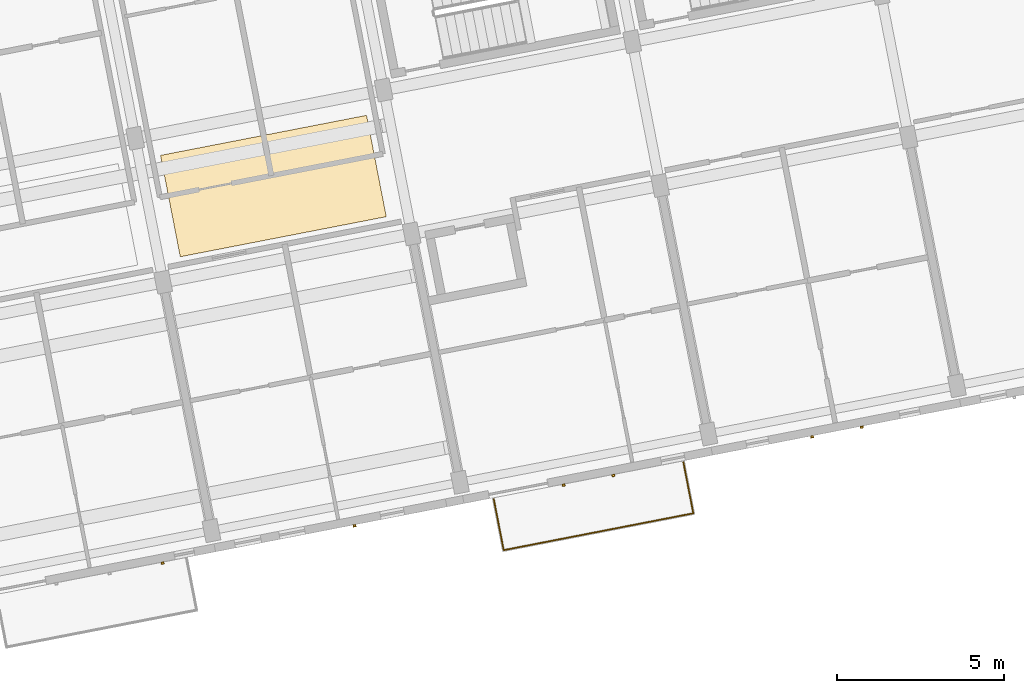
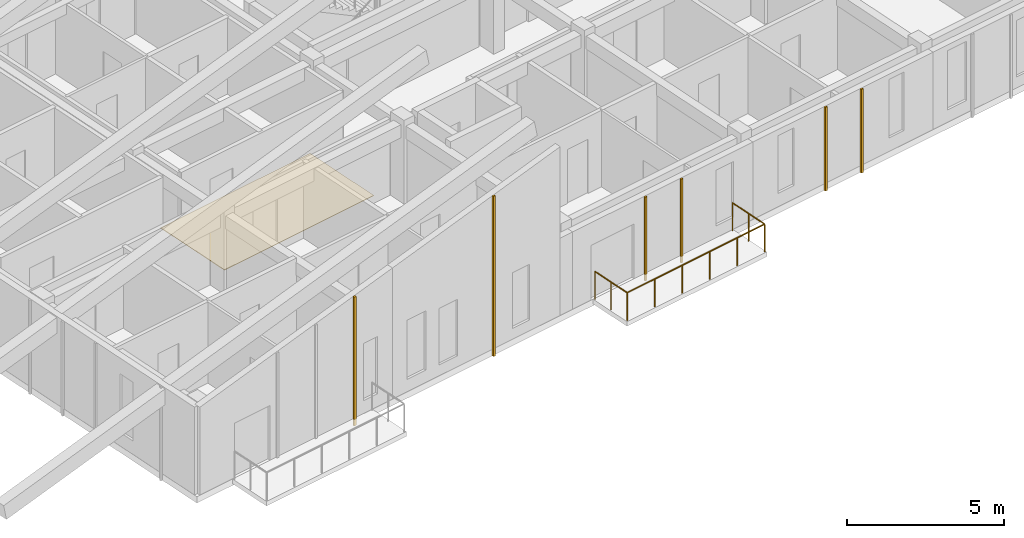
# One storey, part 57 of 64: 7 coverings, 1 railing.
"""IFC4 building model written with IfcOpenShell, lengths in metres."""

from ifc_helpers import new_model, si_unit, direction, frame, origin, origin_2d, place, context, subcontext, project, spatial, polyline, rectangle, circle, outline, extrude, material, layer, layer_set, type_object, element, save


model = new_model("IFC4")

# Units and contexts
model_context = context("Model", 3, precision=1e-05, world=origin(), true_north=direction((0.0, 1.0)))
body_context = subcontext(model_context, "Body", "Model", "MODEL_VIEW")
ifc_project = project(units=[si_unit("LENGTHUNIT", "METRE"), si_unit("AREAUNIT", "SQUARE_METRE"), si_unit("VOLUMEUNIT", "CUBIC_METRE"), si_unit("PLANEANGLEUNIT", "RADIAN"), si_unit("MASSUNIT", "GRAM", prefix="KILO")], contexts=[model_context])

# Site, building, storey
site_placement = place(None, origin())
site = spatial("IfcSite", under=ifc_project, at=site_placement, CompositionType="ELEMENT")
building_placement = place(site_placement, origin())
building = spatial("IfcBuilding", under=site, at=building_placement, Name="Kestramere Prow Commons", CompositionType="ELEMENT")
storey_placement = place(building_placement, frame((0.0, 0.0, 24.64990234375)))
storey = spatial("IfcBuildingStorey", under=building, at=storey_placement, Name="L07", CompositionType="ELEMENT", Elevation=24.64990234375)

# Coverings
ifc_material_1 = material(Name="Weathered Zinc-Titanium Standing-Seam Cladding")
ifc_layer_1 = layer(ifc_material_1, 0.074951171875)
ifc_layer_set_1 = layer_set([ifc_layer_1], Name="Weathered Zinc-Titanium Standing-Seam Cladding")
covering_type_1 = type_object("IfcCoveringType", Name="COV-CLAD-SEAM", PredefinedType="CLADDING", material=ifc_layer_set_1)
covering_1_placement = place(storey_placement, frame((131.85498046875, 35.92529296875, -0.25), z_axis=(0.0, 0.0, 1.0), x_axis=(-0.981627183448, -0.190808995377, 0.0)))
element("IfcCovering", 1, at=covering_1_placement, inside=storey, type_object=covering_type_1, Name="EW-D-L07-S-1 Standing-Seam Rib 1", PredefinedType="CLADDING", context=body_context, shape_type="SweptSolid", body=[
    extrude(rectangle(XDim=0.0849609375, YDim=0.06494140625, at=origin_2d()), origin(), (0.0, 0.0, 1.0), 5.00439453125),
])
covering_2_placement = place(storey_placement, frame((137.616943359375, 37.045166015625, -0.249755859375), z_axis=(0.0, 0.0, 1.0), x_axis=(-0.981627183448, -0.190808995377, 0.0)))
element("IfcCovering", 2, at=covering_2_placement, inside=storey, type_object=covering_type_1, Name="EW-D-L07-S-2 Standing-Seam Rib 2", PredefinedType="CLADDING", context=body_context, shape_type="SweptSolid", body=[
    extrude(rectangle(XDim=0.0849609375, YDim=0.06494140625, at=origin_2d()), origin(), (0.0, 0.0, 1.0), 6.21923828125),
])
for number, where, z_axis, x_axis, name in (
    (3, (145.386474609375, 38.555419921875, -0.25), (0.0, 0.0, 1.0), (-0.981627183448, -0.190808995377, 0.0), "EW-D-L07-S-3 Standing-Seam Rib 2"),
    (4, (143.89453125, 38.265380859375, -0.25), (0.0, 0.0, 1.0), (-0.981627183448, -0.190808995377, 0.0), "EW-D-L07-S-3 Standing-Seam Rib 3"),
    (5, (152.846923828125, 40.005615234375, -0.25), (0.0, 0.0, 1.0), (-0.981627183448, -0.190808995377, 0.0), "EW-D-L07-S-4 Standing-Seam Rib 2"),
    (6, (151.35498046875, 39.715576171875, -0.25), (0.0, 0.0, 1.0), (-0.981627183448, -0.190808995377, 0.0), "EW-D-L07-S-4 Standing-Seam Rib 3"),
):
    element("IfcCovering", number, at=place(storey_placement, frame(where, z_axis=z_axis, x_axis=x_axis)), inside=storey, type_object=covering_type_1, Name=name, PredefinedType="CLADDING", context=body_context, shape_type="SweptSolid", body=[
        extrude(rectangle(XDim=0.0849609375, YDim=0.06494140625, at=origin_2d()), origin(), (0.0, 0.0, 1.0), 3.25),
    ])
ifc_material_2 = material(Name="Honed Cementitious Terrazzo Tile")
ifc_layer_2 = layer(ifc_material_2, 0.02001953125)
ifc_layer_set_2 = layer_set([ifc_layer_2], Name="Honed Cementitious Terrazzo Tile")
covering_type_2 = type_object("IfcCoveringType", Name="COV-FLOOR-TERRAZZO", PredefinedType="FLOORING", material=ifc_layer_set_2)
covering_3_placement = place(storey_placement, origin())
element("IfcCovering", 7, at=covering_3_placement, inside=storey, type_object=covering_type_2, Name="Block D L07 Corridor Terrazzo Flooring 3", PredefinedType="FLOORING", context=body_context, shape_type="SweptSolid", body=[
    extrude(outline(polyline([(132.384521484375, 45.122802734375), (138.56884765625, 46.324951171875), (137.977294921875, 49.367919921875), (131.793212890625, 48.165771484375), (132.384521484375, 45.122802734375)])), origin(), (0.0, 0.0, 1.0), 0.02001953125),
])

# Railing
ifc_material_3 = material(Name="Powder-Coated Aluminium 6063-T6", Category="aluminium")
railing_type = type_object("IfcRailingType", Name="GRD-BALC-1100", PredefinedType="BALUSTRADE", material=ifc_material_3)
railing_placement = place(storey_placement, frame((141.796142578125, 37.844970703125, 0.0)))
element("IfcRailing", 8, at=railing_placement, inside=storey, type_object=railing_type, Name="Block D L07 Balcony Guardrail 4", PredefinedType="BALUSTRADE", context=body_context, shape_type="SweptSolid", body=[
    extrude(circle(Radius=0.02392578125, at=origin_2d()), frame((0.0, 0.0, 1.076171875), z_axis=(0.190907354118, -0.981608059331, 0.0), x_axis=(0.981608059331, 0.190907354118, 0.0)), (0.0, 0.0, 1.0), 1.560302734375),
    extrude(circle(Radius=0.02392578125, at=origin_2d()), frame((0.2978515625, -1.531494140625, 1.076171875), z_axis=(0.981626779841, 0.190811071742, 0.0), x_axis=(-0.190811071742, 0.981626779841, 0.0)), (0.0, 0.0, 1.0), 5.7998046875),
    extrude(circle(Radius=0.02392578125, at=origin_2d()), frame((5.9912109375, -0.4248046875, 1.076171875), z_axis=(-0.190756568988, 0.981637372652, 0.0), x_axis=(-0.981637372652, -0.190756568988, 0.0)), (0.0, 0.0, 1.0), 1.56005859375),
    extrude(circle(Radius=0.02099609375, at=origin_2d()), origin(), (0.0, 0.0, 1.0), 1.052001953125),
    extrude(circle(Radius=0.02099609375, at=origin_2d()), frame((0.14892578125, -0.765625, 0.0)), (0.0, 0.0, 1.0), 1.052001953125),
    extrude(circle(Radius=0.02099609375, at=origin_2d()), frame((0.2978515625, -1.531494140625, 0.0)), (0.0, 0.0, 1.0), 1.052001953125),
    extrude(circle(Radius=0.02099609375, at=origin_2d()), frame((1.4365234375, -1.31005859375, 0.0)), (0.0, 0.0, 1.0), 1.052001953125),
    extrude(circle(Radius=0.02099609375, at=origin_2d()), frame((2.5751953125, -1.0888671875, 0.0)), (0.0, 0.0, 1.0), 1.052001953125),
    extrude(circle(Radius=0.02099609375, at=origin_2d()), frame((3.7138671875, -0.867431640625, 0.0)), (0.0, 0.0, 1.0), 1.052001953125),
    extrude(circle(Radius=0.02099609375, at=origin_2d()), frame((4.8525390625, -0.646240234375, 0.0)), (0.0, 0.0, 1.0), 1.052001953125),
    extrude(circle(Radius=0.02099609375, at=origin_2d()), frame((5.9912109375, -0.4248046875, 0.0)), (0.0, 0.0, 1.0), 1.052001953125),
    extrude(circle(Radius=0.02099609375, at=origin_2d()), frame((5.84228515625, 0.3408203125, 0.0)), (0.0, 0.0, 1.0), 1.052001953125),
    extrude(circle(Radius=0.02099609375, at=origin_2d()), frame((5.693603515625, 1.106689453125, 0.0)), (0.0, 0.0, 1.0), 1.052001953125),
])

save(model, "model.ifc")
